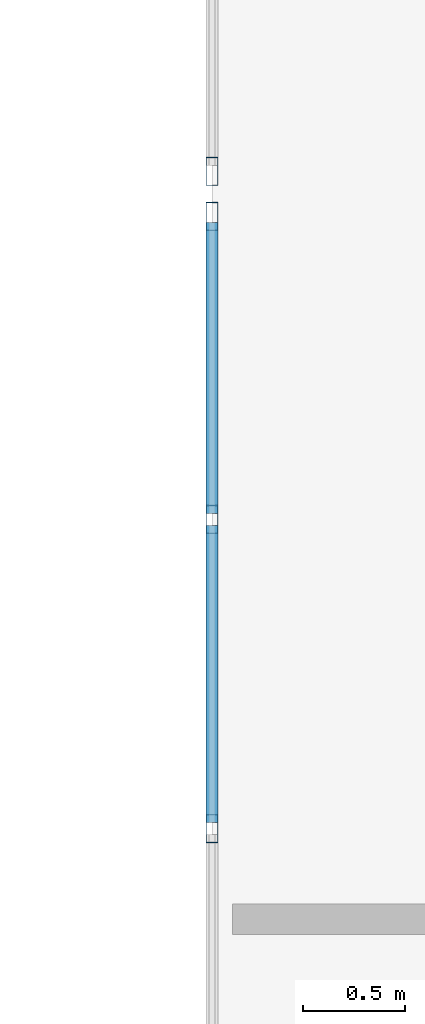
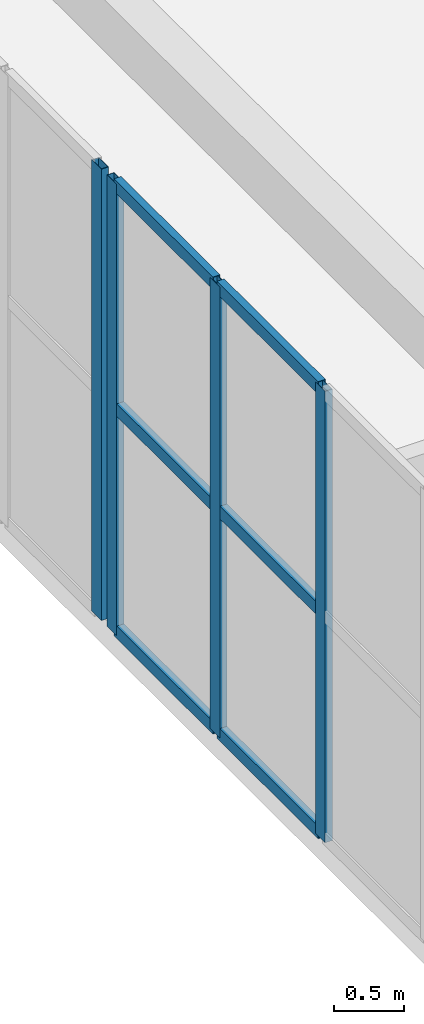
# One storey, part 48 of 140: 10 members, 2 elements without a shape of their own.
"""IFC4 building model written with IfcOpenShell, lengths in metres."""

from ifc_helpers import new_model, si_unit, direction, frame, origin, origin_2d, place, context, subcontext, project, spatial, hollow_rectangle, extrude, material, layer, layer_set, material_profile, profile_set, type_object, element, aggregate, save


model = new_model("IFC4")

# Units and contexts
model_context = context("Model", 3, precision=1e-05, world=origin(), true_north=direction((0.0, 1.0)))
body_context = subcontext(model_context, "Body", "Model", "MODEL_VIEW")
ifc_project = project(units=[si_unit("LENGTHUNIT", "METRE"), si_unit("AREAUNIT", "SQUARE_METRE"), si_unit("VOLUMEUNIT", "CUBIC_METRE"), si_unit("PLANEANGLEUNIT", "RADIAN"), si_unit("MASSUNIT", "GRAM", prefix="KILO")], contexts=[model_context])

# Site, building, storey
site_placement = place(None, origin())
site = spatial("IfcSite", under=ifc_project, at=site_placement, CompositionType="ELEMENT")
building_placement = place(site_placement, origin())
building = spatial("IfcBuilding", under=site, at=building_placement, Name="Trelvath General Hospital", CompositionType="ELEMENT")
storey_placement = place(building_placement, frame((0.0, 0.0, 16.199951171875)))
storey = spatial("IfcBuildingStorey", under=building, at=storey_placement, Name="L04", CompositionType="ELEMENT", Elevation=16.199951171875)

# Curtain wall, members
ifc_material_1 = material(Name="Anodised aluminium and low-E glass", Category="aluminium")
ifc_layer_1 = layer(ifc_material_1, 0.139892578125)
ifc_layer_set_1 = layer_set([ifc_layer_1], Name="Anodised aluminium and low-E glass")
curtain_wall_type_1 = type_object("IfcCurtainWallType", Name="CW CrystalCube 1664 396 14", PredefinedType="USERDEFINED", material=ifc_layer_set_1)
curtain_wall_1_placement = place(storey_placement, origin())
curtain_wall_1 = element("IfcCurtainWall", 1, at=curtain_wall_1_placement, inside=storey, type_object=curtain_wall_type_1, Name="Crystal Cube Curtain Wall CUBE-W-T1 W3 L04", ObjectType="Unitised Glazed Curtain Wall", PredefinedType="USERDEFINED")
ifc_material_2 = material(Name="Anodised aluminium", Category="aluminium")
ifc_material_profile_1 = material_profile(ifc_material_2, hollow_rectangle(XDim=0.06005859375, YDim=0.139892578125, WallThickness=0.00390625, at=origin_2d()), Name="RHS60x140x4")
ifc_profile_set_1 = profile_set([ifc_material_profile_1], Name="Anodised aluminium")
member_type_1 = type_object("IfcMemberType", Name="CurtainMullion 60x140", PredefinedType="MULLION", material=ifc_profile_set_1)
member_1_placement = place(storey_placement, frame((53.199951171875, 64.094482421875, 0.0), z_axis=(0.0, 0.0, 1.0), x_axis=(-1.0, 0.0, 0.0)))
member_1 = element("IfcMember", 2, at=member_1_placement, type_object=member_type_1, Name="CW-277 mullion 10", PredefinedType="MULLION", context=body_context, shape_type="SweptSolid", body=[
    extrude(hollow_rectangle(XDim=0.06005859375, YDim=0.139892578125, WallThickness=0.00390625, at=origin_2d()), origin(), (0.0, 0.0, 1.0), 3.9599609375),
])
member_2_placement = place(storey_placement, frame((53.199951171875, 65.607177734375, 0.0), z_axis=(0.0, 0.0, 1.0), x_axis=(-1.0, 0.0, 0.0)))
member_2 = element("IfcMember", 3, at=member_2_placement, type_object=member_type_1, Name="CW-277 mullion 11", PredefinedType="MULLION", context=body_context, shape_type="SweptSolid", body=[
    extrude(hollow_rectangle(XDim=0.06005859375, YDim=0.139892578125, WallThickness=0.00390625, at=origin_2d()), origin(), (0.0, 0.0, 1.0), 3.9599609375),
])
member_3_placement = place(storey_placement, frame((53.199951171875, 67.090087890625, 0.0), z_axis=(0.0, 0.0, 1.0), x_axis=(-1.0, 0.0, 0.0)))
member_3 = element("IfcMember", 4, at=member_3_placement, type_object=member_type_1, Name="CW-277 mullion 12", PredefinedType="MULLION", context=body_context, shape_type="SweptSolid", body=[
    extrude(hollow_rectangle(XDim=0.06005859375, YDim=0.139892578125, WallThickness=0.00390625, at=origin_2d()), origin(), (0.0, 0.0, 1.0), 3.9599609375),
])

# Curtain wall, member
ifc_material_3 = material(Name="Anodised aluminium and low-E glass", Category="aluminium")
ifc_layer_2 = layer(ifc_material_3, 0.139892578125)
ifc_layer_set_2 = layer_set([ifc_layer_2], Name="Anodised aluminium and low-E glass")
curtain_wall_type_2 = type_object("IfcCurtainWallType", Name="CW CrystalCube 824 396 14", PredefinedType="USERDEFINED", material=ifc_layer_set_2)
curtain_wall_2_placement = place(storey_placement, origin())
curtain_wall_2 = element("IfcCurtainWall", 5, at=curtain_wall_2_placement, inside=storey, type_object=curtain_wall_type_2, Name="Crystal Cube Curtain Wall CUBE-W-T1 W4 L04", ObjectType="Unitised Glazed Curtain Wall", PredefinedType="USERDEFINED")
member_4_placement = place(storey_placement, frame((53.199951171875, 67.31005859375, 0.0), z_axis=(0.0, 0.0, 1.0), x_axis=(-1.0, 0.0, 0.0)))
member_4 = element("IfcMember", 6, at=member_4_placement, type_object=member_type_1, Name="CW-278 mullion 1", PredefinedType="MULLION", context=body_context, shape_type="SweptSolid", body=[
    extrude(hollow_rectangle(XDim=0.06005859375, YDim=0.139892578125, WallThickness=0.00390625, at=origin_2d()), origin(), (0.0, 0.0, 1.0), 3.9599609375),
])
aggregate(curtain_wall_2, [member_4])

# Member
ifc_material_4 = material(Name="Anodised aluminium", Category="aluminium")
ifc_material_profile_2 = material_profile(ifc_material_4, hollow_rectangle(XDim=0.06005859375, YDim=0.110107421875, WallThickness=0.00390625, at=origin_2d()), Name="RHS60x110x4")
ifc_profile_set_2 = profile_set([ifc_material_profile_2], Name="Anodised aluminium")
member_type_2 = type_object("IfcMemberType", Name="CurtainTransom 60x110", PredefinedType="USERDEFINED", material=ifc_profile_set_2)
member_5_placement = place(storey_placement, frame((53.199951171875, 64.12451171875, 0.030029296875), z_axis=(0.0, 1.0, 0.0), x_axis=(-1.0, 0.0, 0.0)))
member_5 = element("IfcMember", 7, at=member_5_placement, type_object=member_type_2, Name="CW-277 transom 10.1", ObjectType="TRANSOM", PredefinedType="USERDEFINED", context=body_context, shape_type="SweptSolid", body=[
    extrude(hollow_rectangle(XDim=0.06005859375, YDim=0.110107421875, WallThickness=0.00390625, at=origin_2d()), origin(), (0.0, 0.0, 1.0), 1.452880859375),
])

member_6_placement = place(storey_placement, frame((53.199951171875, 64.12451171875, 1.97998046875), z_axis=(0.0, 1.0, 0.0), x_axis=(-1.0, 0.0, 0.0)))
member_6 = element("IfcMember", 8, at=member_6_placement, type_object=member_type_2, Name="CW-277 transom 10.2", ObjectType="TRANSOM", PredefinedType="USERDEFINED", context=body_context, shape_type="SweptSolid", body=[
    extrude(hollow_rectangle(XDim=0.06005859375, YDim=0.110107421875, WallThickness=0.00390625, at=origin_2d()), origin(), (0.0, 0.0, 1.0), 1.452880859375),
])

member_7_placement = place(storey_placement, frame((53.199951171875, 64.12451171875, 3.929931640625), z_axis=(0.0, 1.0, 0.0), x_axis=(-1.0, 0.0, 0.0)))
member_7 = element("IfcMember", 9, at=member_7_placement, type_object=member_type_2, Name="CW-277 transom 10.3", ObjectType="TRANSOM", PredefinedType="USERDEFINED", context=body_context, shape_type="SweptSolid", body=[
    extrude(hollow_rectangle(XDim=0.06005859375, YDim=0.110107421875, WallThickness=0.00390625, at=origin_2d()), origin(), (0.0, 0.0, 1.0), 1.452880859375),
])

member_8_placement = place(storey_placement, frame((53.199951171875, 65.63720703125, 0.030029296875), z_axis=(0.0, 1.0, 0.0), x_axis=(-1.0, 0.0, 0.0)))
member_8 = element("IfcMember", 10, at=member_8_placement, type_object=member_type_2, Name="CW-277 transom 11.1", ObjectType="TRANSOM", PredefinedType="USERDEFINED", context=body_context, shape_type="SweptSolid", body=[
    extrude(hollow_rectangle(XDim=0.06005859375, YDim=0.110107421875, WallThickness=0.00390625, at=origin_2d()), origin(), (0.0, 0.0, 1.0), 1.4228515625),
])

member_9_placement = place(storey_placement, frame((53.199951171875, 65.63720703125, 1.97998046875), z_axis=(0.0, 1.0, 0.0), x_axis=(-1.0, 0.0, 0.0)))
member_9 = element("IfcMember", 11, at=member_9_placement, type_object=member_type_2, Name="CW-277 transom 11.2", ObjectType="TRANSOM", PredefinedType="USERDEFINED", context=body_context, shape_type="SweptSolid", body=[
    extrude(hollow_rectangle(XDim=0.06005859375, YDim=0.110107421875, WallThickness=0.00390625, at=origin_2d()), origin(), (0.0, 0.0, 1.0), 1.4228515625),
])

member_10_placement = place(storey_placement, frame((53.199951171875, 65.63720703125, 3.929931640625), z_axis=(0.0, 1.0, 0.0), x_axis=(-1.0, 0.0, 0.0)))
member_10 = element("IfcMember", 12, at=member_10_placement, type_object=member_type_2, Name="CW-277 transom 11.3", ObjectType="TRANSOM", PredefinedType="USERDEFINED", context=body_context, shape_type="SweptSolid", body=[
    extrude(hollow_rectangle(XDim=0.06005859375, YDim=0.110107421875, WallThickness=0.00390625, at=origin_2d()), origin(), (0.0, 0.0, 1.0), 1.4228515625),
])

aggregate(curtain_wall_1, [member_1, member_2, member_3, member_5, member_6, member_7, member_8, member_9, member_10])

save(model, "model.ifc")
